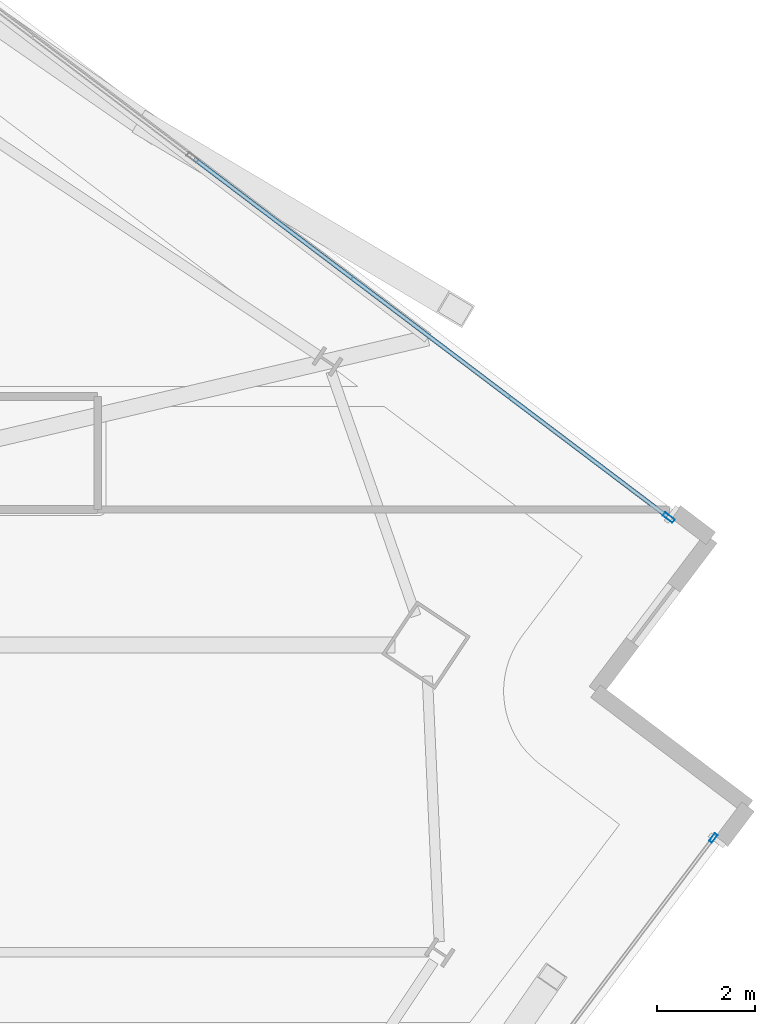
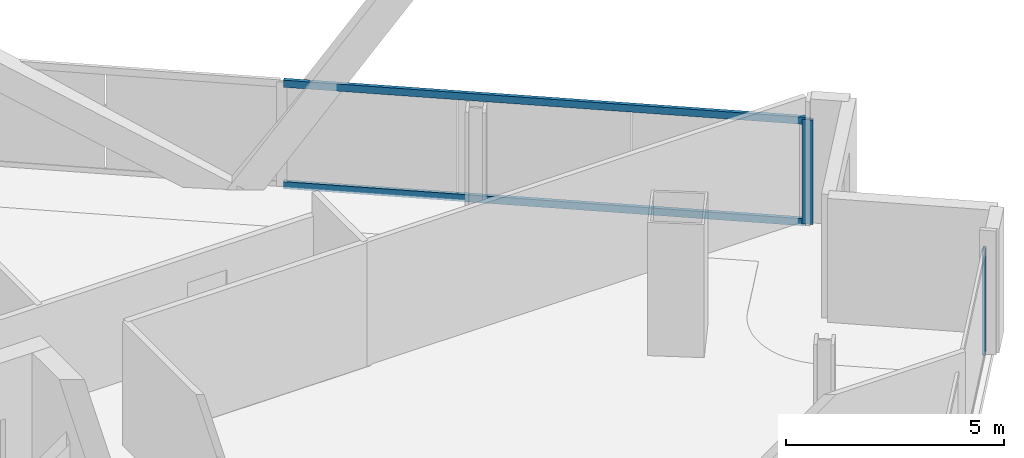
# One storey, part 22 of 34: 4 members, 2 elements without a shape of their own.
"""IFC4 building model written with IfcOpenShell, lengths in metres."""

from ifc_helpers import new_model, si_unit, direction, frame, origin, origin_2d, place, context, subcontext, project, spatial, hollow_rectangle, extrude, material, material_profile, profile_set, type_object, element, aggregate, save


model = new_model("IFC4")

# Units and contexts
model_context = context("Model", 3, precision=1e-05, world=origin(), true_north=direction((0.0, 1.0)))
body_context = subcontext(model_context, "Body", "Model", "MODEL_VIEW")
ifc_project = project(units=[si_unit("LENGTHUNIT", "METRE"), si_unit("AREAUNIT", "SQUARE_METRE"), si_unit("VOLUMEUNIT", "CUBIC_METRE"), si_unit("PLANEANGLEUNIT", "RADIAN"), si_unit("MASSUNIT", "GRAM", prefix="KILO")], contexts=[model_context])

# Site, building, storey
site_placement = place(None, origin())
site = spatial("IfcSite", under=ifc_project, at=site_placement, CompositionType="ELEMENT")
building_placement = place(site_placement, origin())
building = spatial("IfcBuilding", under=site, at=building_placement, Name="Haldenkirk Collegiate Tower", CompositionType="ELEMENT")
storey_placement = place(building_placement, frame((0.0, 0.0, 205.949951171875)))
storey = spatial("IfcBuildingStorey", under=building, at=storey_placement, Name="L51", CompositionType="ELEMENT", Elevation=205.949951171875)

# Curtain wall, member
ifc_material = material(Name="Anodised architectural bronze aluminium", Category="aluminium")
curtain_wall_type_1 = type_object("IfcCurtainWallType", Name="CW-SYS2-CONCAVE", PredefinedType="USERDEFINED", material=ifc_material)
curtain_wall_1_placement = place(storey_placement, origin())
curtain_wall_1 = element("IfcCurtainWall", 1, at=curtain_wall_1_placement, inside=storey, type_object=curtain_wall_type_1, Name="L51 South concave recessed bronze-anodised curtain wall", ObjectType="UNITISED CURTAIN WALL", PredefinedType="USERDEFINED")
ifc_material_profile_1 = material_profile(ifc_material, hollow_rectangle(XDim=0.074951171875, YDim=0.18994140625, WallThickness=0.0048828125, at=origin_2d()), Name="CW-MUL-02")
ifc_profile_set_1 = profile_set([ifc_material_profile_1], Name="Anodised architectural bronze aluminium")
member_type_1 = type_object("IfcMemberType", Name="CW-MUL-02", PredefinedType="MULLION", material=ifc_profile_set_1)
member_1_placement = place(storey_placement, frame((66.339599609375, 27.456298828125, 0.0), z_axis=(0.0, 0.0, 1.0), x_axis=(0.797584320771, -0.6032074695, 0.0)))
member_1 = element("IfcMember", 2, at=member_1_placement, type_object=member_type_1, Name="CW-02 mullion 1", PredefinedType="MULLION", context=body_context, shape_type="SweptSolid", body=[
    extrude(hollow_rectangle(XDim=0.074951171875, YDim=0.18994140625, WallThickness=0.0048828125, at=origin_2d()), origin(), (0.0, 0.0, 1.0), 2.927978515625),
])
aggregate(curtain_wall_1, [member_1])

# Curtain wall, members
curtain_wall_type_2 = type_object("IfcCurtainWallType", Name="CW-SYS1B-CONVEX-HI", PredefinedType="USERDEFINED", material=ifc_material)
curtain_wall_2_placement = place(storey_placement, origin())
curtain_wall_2 = element("IfcCurtainWall", 3, at=curtain_wall_2_placement, inside=storey, type_object=curtain_wall_type_2, Name="L51 Upper tower high-wind convex bronze unitised curtain wall", ObjectType="UNITISED CURTAIN WALL", PredefinedType="USERDEFINED")
ifc_material_profile_2 = material_profile(ifc_material, hollow_rectangle(XDim=0.0849609375, YDim=0.25, WallThickness=0.0048828125, at=origin_2d()), Name="CW-MUL-1B")
ifc_profile_set_2 = profile_set([ifc_material_profile_2], Name="Anodised architectural bronze aluminium")
member_type_2 = type_object("IfcMemberType", Name="CW-MUL-1B", PredefinedType="MULLION", material=ifc_profile_set_2)
member_2_placement = place(storey_placement, frame((65.430419921875, 33.9833984375, 0.0), z_axis=(0.0, 0.0, 1.0), x_axis=(0.603207402306, 0.797584371589, 0.0)))
member_2 = element("IfcMember", 4, at=member_2_placement, type_object=member_type_2, Name="CW-1B mullion 4", PredefinedType="MULLION", context=body_context, shape_type="SweptSolid", body=[
    extrude(hollow_rectangle(XDim=0.0849609375, YDim=0.25, WallThickness=0.0048828125, at=origin_2d()), origin(), (0.0, 0.0, 1.0), 2.927978515625),
])
ifc_material_profile_3 = material_profile(ifc_material, hollow_rectangle(XDim=0.0849609375, YDim=0.199951171875, WallThickness=0.0048828125, at=origin_2d()), Name="CW-TRN-1B")
ifc_profile_set_3 = profile_set([ifc_material_profile_3], Name="Anodised architectural bronze aluminium")
member_type_3 = type_object("IfcMemberType", Name="CW-TRN-1B", PredefinedType="USERDEFINED", material=ifc_profile_set_3)
member_3_placement = place(storey_placement, frame((55.767578125, 41.291259765625, 0.04248046875), z_axis=(0.797586241756, -0.60320492949, 0.0), x_axis=(0.60320492949, 0.797586241756, 0.0)))
member_3 = element("IfcMember", 5, at=member_3_placement, type_object=member_type_3, Name="CW-1B transom 3.1", ObjectType="TRANSOM", PredefinedType="USERDEFINED", context=body_context, shape_type="SweptSolid", body=[
    extrude(hollow_rectangle(XDim=0.0849609375, YDim=0.199951171875, WallThickness=0.0048828125, at=origin_2d()), origin(), (0.0, 0.0, 1.0), 12.072509765625),
])
member_4_placement = place(storey_placement, frame((55.767578125, 41.291259765625, 2.885498046875), z_axis=(0.797586241756, -0.60320492949, 0.0), x_axis=(0.60320492949, 0.797586241756, 0.0)))
member_4 = element("IfcMember", 6, at=member_4_placement, type_object=member_type_3, Name="CW-1B transom 3.2", ObjectType="TRANSOM", PredefinedType="USERDEFINED", context=body_context, shape_type="SweptSolid", body=[
    extrude(hollow_rectangle(XDim=0.0849609375, YDim=0.199951171875, WallThickness=0.0048828125, at=origin_2d()), origin(), (0.0, 0.0, 1.0), 12.072509765625),
])
aggregate(curtain_wall_2, [member_2, member_3, member_4])

save(model, "model.ifc")
